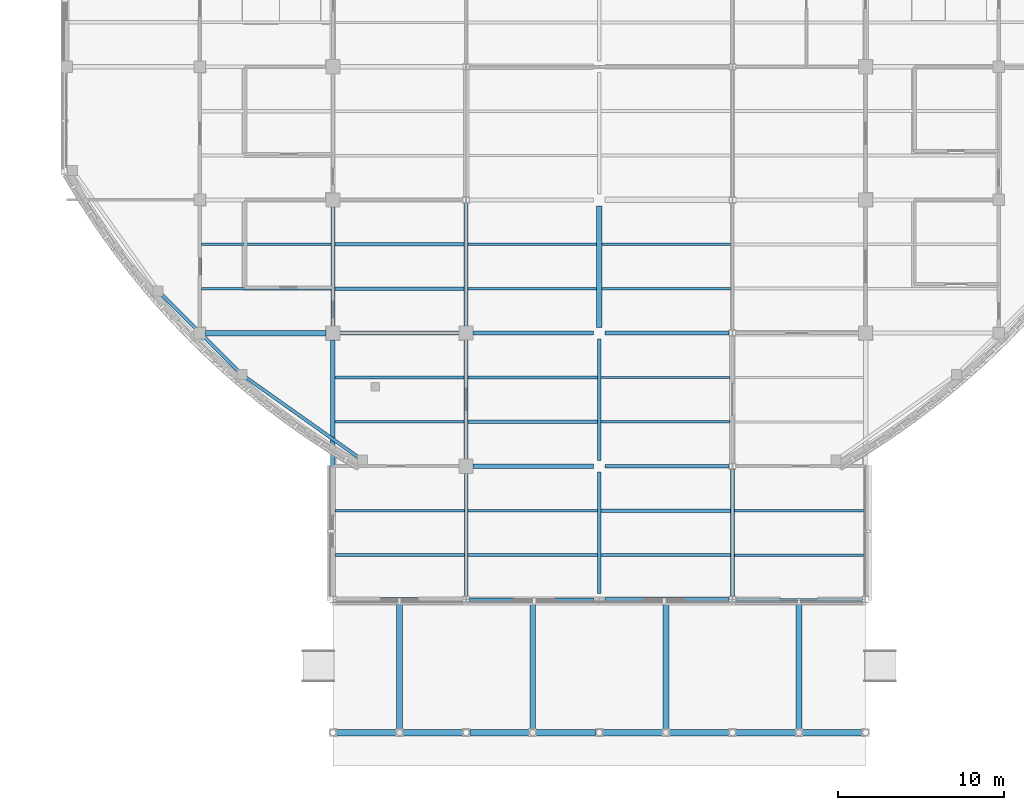
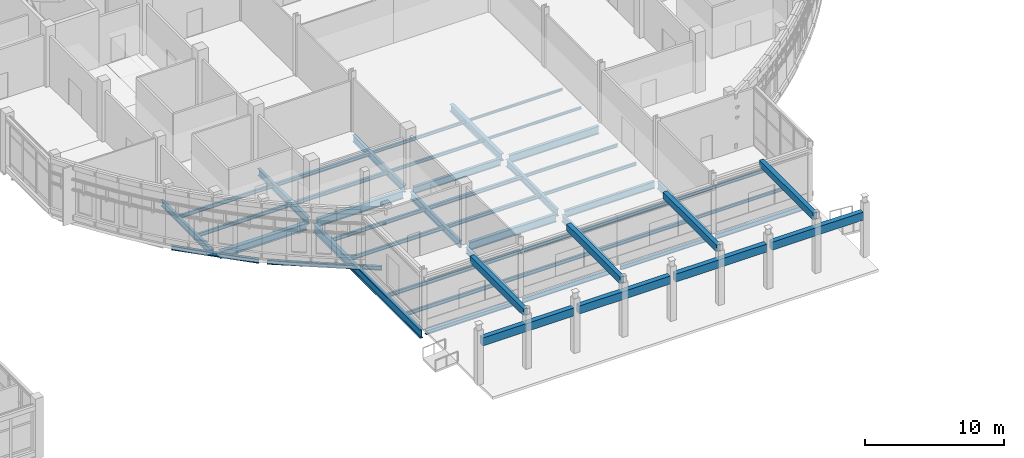
# One storey, part 18 of 105: 52 beams.
"""IFC4 building model written with IfcOpenShell, lengths in metres."""

from ifc_helpers import new_model, si_unit, derived_unit, direction, frame, origin, origin_2d, place, context, subcontext, project, spatial, rectangle, i_section, extrude, material, material_profile, profile_set, type_object, element, save


model = new_model("IFC4")

# Units and contexts
model_context = context("Model", 3, precision=1e-05, world=origin(), true_north=direction((0.0, 1.0)))
body_context = subcontext(model_context, "Body", "Model", "MODEL_VIEW")
ifc_project = project(units=[si_unit("LENGTHUNIT", "METRE"), si_unit("AREAUNIT", "SQUARE_METRE"), si_unit("VOLUMEUNIT", "CUBIC_METRE"), si_unit("PLANEANGLEUNIT", "RADIAN"), si_unit("MASSUNIT", "GRAM", prefix="KILO"), derived_unit("THERMALTRANSMITTANCEUNIT", [(si_unit("MASSUNIT", "GRAM", prefix="KILO"), 1), (si_unit("TIMEUNIT", "SECOND"), -3), (si_unit("THERMODYNAMICTEMPERATUREUNIT", "KELVIN"), -1)])], contexts=[model_context])

# Site, building, storey
site_placement = place(None, origin())
site = spatial("IfcSite", under=ifc_project, at=site_placement, CompositionType="ELEMENT")
building_placement = place(site_placement, origin())
building = spatial("IfcBuilding", under=site, at=building_placement, Name="Veyamyaing Civic Hall", CompositionType="ELEMENT")
storey_placement = place(building_placement, origin())
storey = spatial("IfcBuildingStorey", under=building, at=storey_placement, Name="L00", CompositionType="ELEMENT", Elevation=0.0)

# Beams
ifc_material_1 = material(Name="Steel ASTM A992", Category="steel")
ifc_material_profile_1 = material_profile(ifc_material_1, i_section(OverallWidth=0.256103515625, OverallDepth=0.693115234375, WebThickness=0.014404296875, FlangeThickness=0.023681640625, FilletRadius=0.013916015625, at=origin_2d()), Name="W690X170")
ifc_profile_set_1 = profile_set([ifc_material_profile_1], Name="Steel ASTM A992")
beam_type_1 = type_object("IfcBeamType", Name="B-04", PredefinedType="BEAM", material=ifc_profile_set_1)
beam_1_placement = place(storey_placement, frame((80.425048828125, 16.0, -0.611572265625), z_axis=(1.0, 0.0, 0.0), x_axis=(0.0, 1.0, 0.0)))
element("IfcBeam", 1, at=beam_1_placement, inside=storey, type_object=beam_type_1, Name="Girder B-04 L00 Grid C 11-12", PredefinedType="BEAM", context=body_context, shape_type="SweptSolid", body=[
    extrude(i_section(OverallWidth=0.256103515625, OverallDepth=0.693115234375, WebThickness=0.014404296875, FlangeThickness=0.023681640625, FilletRadius=0.013916015625, at=origin_2d()), origin(), (0.0, 0.0, 1.0), 7.224853515625),
])
beam_2_placement = place(storey_placement, frame((72.425048828125, 24.0, -0.611572265625), z_axis=(1.0, 0.0, 0.0), x_axis=(0.0, 1.0, 0.0)))
element("IfcBeam", 2, at=beam_2_placement, inside=storey, type_object=beam_type_1, Name="Girder B-04 L00 Grid D 10-11", PredefinedType="BEAM", context=body_context, shape_type="SweptSolid", body=[
    extrude(i_section(OverallWidth=0.256103515625, OverallDepth=0.693115234375, WebThickness=0.014404296875, FlangeThickness=0.023681640625, FilletRadius=0.013916015625, at=origin_2d()), origin(), (0.0, 0.0, 1.0), 7.14990234375),
])
ifc_material_profile_2 = material_profile(ifc_material_1, i_section(OverallWidth=0.22998046875, OverallDepth=0.616943359375, WebThickness=0.01318359375, FlangeThickness=0.022216796875, FilletRadius=0.012939453125, at=origin_2d()), Name="W610X140")
ifc_profile_set_2 = profile_set([ifc_material_profile_2], Name="Steel ASTM A992")
beam_type_2 = type_object("IfcBeamType", Name="B-05", PredefinedType="BEAM", material=ifc_profile_set_2)
beam_3_placement = place(storey_placement, frame((88.35009765625, 16.0, -0.573486328125), z_axis=(1.0, 0.0, 0.0), x_axis=(0.0, 1.0, 0.0)))
element("IfcBeam", 3, at=beam_3_placement, inside=storey, type_object=beam_type_2, Name="Girder B-05 L00 Grid C 12-13", PredefinedType="BEAM", context=body_context, shape_type="SweptSolid", body=[
    extrude(i_section(OverallWidth=0.22998046875, OverallDepth=0.616943359375, WebThickness=0.01318359375, FlangeThickness=0.022216796875, FilletRadius=0.012939453125, at=origin_2d()), origin(), (0.0, 0.0, 1.0), 7.450927734375),
])
beam_4_placement = place(storey_placement, frame((80.425048828125, 24.0, -0.573486328125), z_axis=(1.0, 0.0, 0.0), x_axis=(0.0, 1.0, 0.0)))
element("IfcBeam", 4, at=beam_4_placement, inside=storey, type_object=beam_type_2, Name="Girder B-05 L00 Grid D 11-12", PredefinedType="BEAM", context=body_context, shape_type="SweptSolid", body=[
    extrude(i_section(OverallWidth=0.22998046875, OverallDepth=0.616943359375, WebThickness=0.01318359375, FlangeThickness=0.022216796875, FilletRadius=0.012939453125, at=origin_2d()), origin(), (0.0, 0.0, 1.0), 7.224853515625),
])
for number, where, z_axis, x_axis, name in (
    (5, (72.0, 24.425048828125, -0.573486328125), (0.0, 1.0, 0.0), (-1.0, 0.0, 0.0), "Girder B-05 L00 Grid 10 D-E"),
    (6, (80.0, 16.425048828125, -0.573486328125), (0.0, 1.0, 0.0), (-1.0, 0.0, 0.0), "Girder B-05 L00 Grid 11 C-D"),
):
    element("IfcBeam", number, at=place(storey_placement, frame(where, z_axis=z_axis, x_axis=x_axis)), inside=storey, type_object=beam_type_2, Name=name, PredefinedType="BEAM", context=body_context, shape_type="SweptSolid", body=[
        extrude(i_section(OverallWidth=0.22998046875, OverallDepth=0.616943359375, WebThickness=0.01318359375, FlangeThickness=0.022216796875, FilletRadius=0.012939453125, at=origin_2d()), origin(), (0.0, 0.0, 1.0), 7.14990234375),
    ])
beam_5_placement = place(storey_placement, frame((88.0, 8.35009765625, -0.573486328125), z_axis=(0.0, 1.0, 0.0), x_axis=(-1.0, 0.0, 0.0)))
element("IfcBeam", 7, at=beam_5_placement, inside=storey, type_object=beam_type_2, Name="Girder B-05 L00 Grid 12 B-C", PredefinedType="BEAM", context=body_context, shape_type="SweptSolid", body=[
    extrude(i_section(OverallWidth=0.22998046875, OverallDepth=0.616943359375, WebThickness=0.01318359375, FlangeThickness=0.022216796875, FilletRadius=0.012939453125, at=origin_2d()), origin(), (0.0, 0.0, 1.0), 7.2998046875),
])
ifc_material_profile_3 = material_profile(ifc_material_1, i_section(OverallWidth=0.22802734375, OverallDepth=0.60791015625, WebThickness=0.01123046875, FlangeThickness=0.017333984375, FilletRadius=0.012939453125, at=origin_2d()), Name="W610X113")
ifc_profile_set_3 = profile_set([ifc_material_profile_3], Name="Steel ASTM A992")
beam_type_3 = type_object("IfcBeamType", Name="B-06", PredefinedType="BEAM", material=ifc_profile_set_3)
beam_6_placement = place(storey_placement, frame((80.0, 24.425048828125, -0.569091796875), z_axis=(0.0, 1.0, 0.0), x_axis=(-1.0, 0.0, 0.0)))
element("IfcBeam", 8, at=beam_6_placement, inside=storey, type_object=beam_type_3, Name="Girder B-06 L00 Grid 11 D-E", PredefinedType="BEAM", context=body_context, shape_type="SweptSolid", body=[
    extrude(i_section(OverallWidth=0.22802734375, OverallDepth=0.60791015625, WebThickness=0.01123046875, FlangeThickness=0.017333984375, FilletRadius=0.012939453125, at=origin_2d()), origin(), (0.0, 0.0, 1.0), 7.38134765625),
])
beam_7_placement = place(storey_placement, frame((88.0, 16.35009765625, -0.569091796875), z_axis=(0.0, 1.0, 0.0), x_axis=(-1.0, 0.0, 0.0)))
element("IfcBeam", 9, at=beam_7_placement, inside=storey, type_object=beam_type_3, Name="Girder B-06 L00 Grid 12 C-D", PredefinedType="BEAM", context=body_context, shape_type="SweptSolid", body=[
    extrude(i_section(OverallWidth=0.22802734375, OverallDepth=0.60791015625, WebThickness=0.01123046875, FlangeThickness=0.017333984375, FilletRadius=0.012939453125, at=origin_2d()), origin(), (0.0, 0.0, 1.0), 7.2998046875),
])
beam_8_placement = place(storey_placement, frame((96.0, 8.193603515625, -0.569091796875), z_axis=(0.0, 1.0, 0.0), x_axis=(-1.0, 0.0, 0.0)))
element("IfcBeam", 10, at=beam_8_placement, inside=storey, type_object=beam_type_3, Name="Girder B-06 L00 Grid 13 B-C", PredefinedType="BEAM", context=body_context, shape_type="SweptSolid", body=[
    extrude(i_section(OverallWidth=0.22802734375, OverallDepth=0.60791015625, WebThickness=0.01123046875, FlangeThickness=0.017333984375, FilletRadius=0.012939453125, at=origin_2d()), origin(), (0.0, 0.0, 1.0), 7.61279296875),
])
ifc_material_profile_4 = material_profile(ifc_material_1, i_section(OverallWidth=0.179931640625, OverallDepth=0.4130859375, WebThickness=0.009765625, FlangeThickness=0.01611328125, FilletRadius=0.010009765625, at=origin_2d()), Name="W410X74")
ifc_profile_set_4 = profile_set([ifc_material_profile_4], Name="Steel ASTM A992")
beam_type_4 = type_object("IfcBeamType", Name="B-10", PredefinedType="SPANDREL", material=ifc_profile_set_4)
beam_9_placement = place(storey_placement, frame((80.198974609375, 8.0, -0.471435546875), z_axis=(1.0, 0.0, 0.0), x_axis=(0.0, 1.0, 0.0)))
element("IfcBeam", 11, at=beam_9_placement, inside=storey, type_object=beam_type_4, Name="Girder B-10 L00 Grid B 11-12", PredefinedType="SPANDREL", context=body_context, shape_type="SweptSolid", body=[
    extrude(i_section(OverallWidth=0.179931640625, OverallDepth=0.4130859375, WebThickness=0.009765625, FlangeThickness=0.01611328125, FilletRadius=0.010009765625, at=origin_2d()), origin(), (0.0, 0.0, 1.0), 7.450927734375),
])
ifc_material_profile_5 = material_profile(ifc_material_1, i_section(OverallWidth=0.2041015625, OverallDepth=0.35009765625, WebThickness=0.0078125, FlangeThickness=0.01513671875, FilletRadius=0.010009765625, at=origin_2d()), Name="W360X72")
ifc_profile_set_5 = profile_set([ifc_material_profile_5], Name="Steel ASTM A992")
beam_type_5 = type_object("IfcBeamType", Name="B-11", PredefinedType="SPANDREL", material=ifc_profile_set_5)
beam_10_placement = place(storey_placement, frame((88.35009765625, 8.0, -0.43994140625), z_axis=(1.0, 0.0, 0.0), x_axis=(0.0, 1.0, 0.0)))
element("IfcBeam", 12, at=beam_10_placement, inside=storey, type_object=beam_type_5, Name="Girder B-11 L00 Grid B 12-13", PredefinedType="SPANDREL", context=body_context, shape_type="SweptSolid", body=[
    extrude(i_section(OverallWidth=0.2041015625, OverallDepth=0.35009765625, WebThickness=0.0078125, FlangeThickness=0.01513671875, FilletRadius=0.010009765625, at=origin_2d()), origin(), (0.0, 0.0, 1.0), 7.450927734375),
])
beam_11_placement = place(storey_placement, frame((61.717041015625, 26.3212890625, -0.449951171875), z_axis=(0.707106781187, -0.707106781187, 0.0), x_axis=(0.707106781187, 0.707106781187, 0.0)))
element("IfcBeam", 13, at=beam_11_placement, inside=storey, type_object=beam_type_5, Name="Curved corner spandrel B-11 L00 SW.2", PredefinedType="SPANDREL", context=body_context, shape_type="SweptSolid", body=[
    extrude(i_section(OverallWidth=0.2041015625, OverallDepth=0.35009765625, WebThickness=0.0078125, FlangeThickness=0.01513671875, FilletRadius=0.010009765625, at=origin_2d()), origin(), (0.0, 0.0, 1.0), 6.511474609375),
])
beam_12_placement = place(storey_placement, frame((66.778076171875, 21.331298828125, -0.449951171875), z_axis=(0.815567262109, -0.578662285773, 0.0), x_axis=(0.578662285773, 0.815567262109, 0.0)))
element("IfcBeam", 14, at=beam_12_placement, inside=storey, type_object=beam_type_5, Name="Curved corner spandrel B-11 L00 SW.3", PredefinedType="SPANDREL", context=body_context, shape_type="SweptSolid", body=[
    extrude(i_section(OverallWidth=0.2041015625, OverallDepth=0.35009765625, WebThickness=0.0078125, FlangeThickness=0.01513671875, FilletRadius=0.010009765625, at=origin_2d()), origin(), (0.0, 0.0, 1.0), 8.284423828125),
])
ifc_material_profile_6 = material_profile(ifc_material_1, i_section(OverallWidth=0.26611328125, OverallDepth=0.758056640625, WebThickness=0.013916015625, FlangeThickness=0.019287109375, FilletRadius=0.01611328125, at=origin_2d()), Name="W760X161")
ifc_profile_set_6 = profile_set([ifc_material_profile_6], Name="Steel ASTM A992")
beam_type_6 = type_object("IfcBeamType", Name="B-13", PredefinedType="BEAM", material=ifc_profile_set_6)
beam_13_placement = place(storey_placement, frame((72.0, 8.193603515625, -0.64404296875), z_axis=(0.0, 1.0, 0.0), x_axis=(-1.0, 0.0, 0.0)))
element("IfcBeam", 15, at=beam_13_placement, inside=storey, type_object=beam_type_6, Name="Girder B-13 L00 Grid 10 B-D", PredefinedType="BEAM", context=body_context, shape_type="SweptSolid", body=[
    extrude(i_section(OverallWidth=0.26611328125, OverallDepth=0.758056640625, WebThickness=0.013916015625, FlangeThickness=0.019287109375, FilletRadius=0.01611328125, at=origin_2d()), origin(), (0.0, 0.0, 1.0), 15.38134765625),
])
ifc_material_profile_7 = material_profile(ifc_material_1, i_section(OverallWidth=0.25390625, OverallDepth=0.68408203125, WebThickness=0.012451171875, FlangeThickness=0.01904296875, FilletRadius=0.013916015625, at=origin_2d()), Name="W690X140")
ifc_profile_set_7 = profile_set([ifc_material_profile_7], Name="Steel ASTM A992")
beam_type_7 = type_object("IfcBeamType", Name="B-14", PredefinedType="BEAM", material=ifc_profile_set_7)
beam_14_placement = place(storey_placement, frame((88.35009765625, 24.0, -0.60693359375), z_axis=(1.0, 0.0, 0.0), x_axis=(0.0, 1.0, 0.0)))
element("IfcBeam", 16, at=beam_14_placement, inside=storey, type_object=beam_type_7, Name="Girder B-14 L00 Grid D 12-13", PredefinedType="BEAM", context=body_context, shape_type="SweptSolid", body=[
    extrude(i_section(OverallWidth=0.25390625, OverallDepth=0.68408203125, WebThickness=0.012451171875, FlangeThickness=0.01904296875, FilletRadius=0.013916015625, at=origin_2d()), origin(), (0.0, 0.0, 1.0), 7.450927734375),
])
ifc_material_profile_8 = material_profile(ifc_material_1, i_section(OverallWidth=0.324951171875, OverallDepth=0.615966796875, WebThickness=0.013916015625, FlangeThickness=0.021484375, FilletRadius=0.013916015625, at=origin_2d()), Name="W610X174")
ifc_profile_set_8 = profile_set([ifc_material_profile_8], Name="Steel ASTM A992")
beam_type_8 = type_object("IfcBeamType", Name="B-15", PredefinedType="BEAM", material=ifc_profile_set_8)
beam_15_placement = place(storey_placement, frame((64.35009765625, 24.0, -0.572998046875), z_axis=(1.0, 0.0, 0.0), x_axis=(0.0, 1.0, 0.0)))
element("IfcBeam", 17, at=beam_15_placement, inside=storey, type_object=beam_type_8, Name="Girder B-15 L00 Grid D 9-10", PredefinedType="BEAM", context=body_context, shape_type="SweptSolid", body=[
    extrude(i_section(OverallWidth=0.324951171875, OverallDepth=0.615966796875, WebThickness=0.013916015625, FlangeThickness=0.021484375, FilletRadius=0.013916015625, at=origin_2d()), origin(), (0.0, 0.0, 1.0), 7.224853515625),
])
beam_16_placement = place(storey_placement, frame((88.0, 24.35009765625, -0.572998046875), z_axis=(0.0, 1.0, 0.0), x_axis=(-1.0, 0.0, 0.0)))
element("IfcBeam", 18, at=beam_16_placement, inside=storey, type_object=beam_type_8, Name="Girder B-15 L00 Grid 12 D-E", PredefinedType="BEAM", context=body_context, shape_type="SweptSolid", body=[
    extrude(i_section(OverallWidth=0.324951171875, OverallDepth=0.615966796875, WebThickness=0.013916015625, FlangeThickness=0.021484375, FilletRadius=0.013916015625, at=origin_2d()), origin(), (0.0, 0.0, 1.0), 7.2998046875),
])
ifc_material_profile_9 = material_profile(ifc_material_1, i_section(OverallWidth=0.214111328125, OverallDepth=0.549072265625, WebThickness=0.0146484375, FlangeThickness=0.023681640625, FilletRadius=0.011962890625, at=origin_2d()), Name="W530X138")
ifc_profile_set_9 = profile_set([ifc_material_profile_9], Name="Steel ASTM A992")
beam_type_9 = type_object("IfcBeamType", Name="B-16", PredefinedType="BEAM", material=ifc_profile_set_9)
beam_17_placement = place(storey_placement, frame((64.0, 24.35009765625, -0.53955078125), z_axis=(0.0, 1.0, 0.0), x_axis=(-1.0, 0.0, 0.0)))
element("IfcBeam", 19, at=beam_17_placement, inside=storey, type_object=beam_type_9, Name="Girder B-16 L00 Grid 9 D-E", PredefinedType="BEAM", context=body_context, shape_type="SweptSolid", body=[
    extrude(i_section(OverallWidth=0.214111328125, OverallDepth=0.549072265625, WebThickness=0.0146484375, FlangeThickness=0.023681640625, FilletRadius=0.011962890625, at=origin_2d()), origin(), (0.0, 0.0, 1.0), 7.2998046875),
])
beam_18_placement = place(storey_placement, frame((80.0, 8.193603515625, -0.53955078125), z_axis=(0.0, 1.0, 0.0), x_axis=(-1.0, 0.0, 0.0)))
element("IfcBeam", 20, at=beam_18_placement, inside=storey, type_object=beam_type_9, Name="Girder B-16 L00 Grid 11 B-C", PredefinedType="BEAM", context=body_context, shape_type="SweptSolid", body=[
    extrude(i_section(OverallWidth=0.214111328125, OverallDepth=0.549072265625, WebThickness=0.0146484375, FlangeThickness=0.023681640625, FilletRadius=0.011962890625, at=origin_2d()), origin(), (0.0, 0.0, 1.0), 7.38134765625),
])
ifc_material_profile_10 = material_profile(ifc_material_1, i_section(OverallWidth=0.180908203125, OverallDepth=0.4169921875, WebThickness=0.010986328125, FlangeThickness=0.018310546875, FilletRadius=0.010009765625, at=origin_2d()), Name="W410X85")
ifc_profile_set_10 = profile_set([ifc_material_profile_10], Name="Steel ASTM A992")
beam_type_10 = type_object("IfcBeamType", Name="B-19", PredefinedType="SPANDREL", material=ifc_profile_set_10)
beam_19_placement = place(storey_placement, frame((96.198974609375, 8.0, -0.473388671875), z_axis=(1.0, 0.0, 0.0), x_axis=(0.0, 1.0, 0.0)))
element("IfcBeam", 21, at=beam_19_placement, inside=storey, type_object=beam_type_10, Name="Girder B-19 L00 Grid B 13-14", PredefinedType="SPANDREL", context=body_context, shape_type="SweptSolid", body=[
    extrude(i_section(OverallWidth=0.180908203125, OverallDepth=0.4169921875, WebThickness=0.010986328125, FlangeThickness=0.018310546875, FilletRadius=0.010009765625, at=origin_2d()), origin(), (0.0, 0.0, 1.0), 7.60205078125),
])
ifc_material_profile_11 = material_profile(ifc_material_1, i_section(OverallWidth=0.25390625, OverallDepth=0.35302734375, WebThickness=0.009521484375, FlangeThickness=0.016357421875, FilletRadius=0.011962890625, at=origin_2d()), Name="W360X91")
ifc_profile_set_11 = profile_set([ifc_material_profile_11], Name="Steel ASTM A992")
beam_type_11 = type_object("IfcBeamType", Name="B-20", PredefinedType="SPANDREL", material=ifc_profile_set_11)
beam_20_placement = place(storey_placement, frame((72.198974609375, 8.0, -0.44140625), z_axis=(1.0, 0.0, 0.0), x_axis=(0.0, 1.0, 0.0)))
element("IfcBeam", 22, at=beam_20_placement, inside=storey, type_object=beam_type_11, Name="Girder B-20 L00 Grid B 10-11", PredefinedType="SPANDREL", context=body_context, shape_type="SweptSolid", body=[
    extrude(i_section(OverallWidth=0.25390625, OverallDepth=0.35302734375, WebThickness=0.009521484375, FlangeThickness=0.016357421875, FilletRadius=0.011962890625, at=origin_2d()), origin(), (0.0, 0.0, 1.0), 7.60205078125),
])
ifc_material_profile_12 = material_profile(ifc_material_1, i_section(OverallWidth=0.1669921875, OverallDepth=0.318115234375, WebThickness=0.007568359375, FlangeThickness=0.01318359375, FilletRadius=0.010009765625, at=origin_2d()), Name="W310X52")
ifc_profile_set_12 = profile_set([ifc_material_profile_12], Name="Steel ASTM A992")
beam_type_12 = type_object("IfcBeamType", Name="J-04", PredefinedType="JOIST", material=ifc_profile_set_12)
for number, where, z_axis, x_axis, name in (
    (23, (72.131103515625, 10.666748046875, -0.424072265625), (1.0, 0.0, 0.0), (0.0, 1.0, 0.0), "Composite floor joist J-04 L00 10.2.1"),
    (24, (72.131103515625, 13.333251953125, -0.424072265625), (1.0, 0.0, 0.0), (0.0, 1.0, 0.0), "Composite floor joist J-04 L00 10.2.2"),
):
    element("IfcBeam", number, at=place(storey_placement, frame(where, z_axis=z_axis, x_axis=x_axis)), inside=storey, type_object=beam_type_12, Name=name, PredefinedType="JOIST", context=body_context, shape_type="SweptSolid", body=[
        extrude(i_section(OverallWidth=0.1669921875, OverallDepth=0.318115234375, WebThickness=0.007568359375, FlangeThickness=0.01318359375, FilletRadius=0.010009765625, at=origin_2d()), origin(), (0.0, 0.0, 1.0), 7.763916015625),
    ])
ifc_material_profile_13 = material_profile(ifc_material_1, i_section(OverallWidth=0.1650390625, OverallDepth=0.31005859375, WebThickness=0.005859375, FlangeThickness=0.009765625, FilletRadius=0.010009765625, at=origin_2d()), Name="W310X39")
ifc_profile_set_13 = profile_set([ifc_material_profile_13], Name="Steel ASTM A992")
beam_type_13 = type_object("IfcBeamType", Name="J-05", PredefinedType="JOIST", material=ifc_profile_set_13)
for number, where, z_axis, x_axis, name in (
    (25, (64.10498046875, 26.666748046875, -0.419921875), (1.0, 0.0, 0.0), (0.0, 1.0, 0.0), "Composite floor joist J-05 L00 9.4.1"),
    (26, (64.10498046875, 29.333251953125, -0.419921875), (1.0, 0.0, 0.0), (0.0, 1.0, 0.0), "Composite floor joist J-05 L00 9.4.2"),
):
    element("IfcBeam", number, at=place(storey_placement, frame(where, z_axis=z_axis, x_axis=x_axis)), inside=storey, type_object=beam_type_13, Name=name, PredefinedType="JOIST", context=body_context, shape_type="SweptSolid", body=[
        extrude(i_section(OverallWidth=0.1650390625, OverallDepth=0.31005859375, WebThickness=0.005859375, FlangeThickness=0.009765625, FilletRadius=0.010009765625, at=origin_2d()), origin(), (0.0, 0.0, 1.0), 7.781982421875),
    ])
for number, where, z_axis, x_axis, name in (
    (27, (72.131103515625, 18.666748046875, -0.419921875), (1.0, 0.0, 0.0), (0.0, 1.0, 0.0), "Composite floor joist J-05 L00 10.3.1"),
    (28, (72.131103515625, 21.333251953125, -0.419921875), (1.0, 0.0, 0.0), (0.0, 1.0, 0.0), "Composite floor joist J-05 L00 10.3.2"),
):
    element("IfcBeam", number, at=place(storey_placement, frame(where, z_axis=z_axis, x_axis=x_axis)), inside=storey, type_object=beam_type_13, Name=name, PredefinedType="JOIST", context=body_context, shape_type="SweptSolid", body=[
        extrude(i_section(OverallWidth=0.1650390625, OverallDepth=0.31005859375, WebThickness=0.005859375, FlangeThickness=0.009765625, FilletRadius=0.010009765625, at=origin_2d()), origin(), (0.0, 0.0, 1.0), 7.755859375),
    ])
for number, where, z_axis, x_axis, name in (
    (29, (80.10498046875, 10.666748046875, -0.419921875), (1.0, 0.0, 0.0), (0.0, 1.0, 0.0), "Composite floor joist J-05 L00 11.2.1"),
    (30, (80.10498046875, 13.333251953125, -0.419921875), (1.0, 0.0, 0.0), (0.0, 1.0, 0.0), "Composite floor joist J-05 L00 11.2.2"),
):
    element("IfcBeam", number, at=place(storey_placement, frame(where, z_axis=z_axis, x_axis=x_axis)), inside=storey, type_object=beam_type_13, Name=name, PredefinedType="JOIST", context=body_context, shape_type="SweptSolid", body=[
        extrude(i_section(OverallWidth=0.1650390625, OverallDepth=0.31005859375, WebThickness=0.005859375, FlangeThickness=0.009765625, FilletRadius=0.010009765625, at=origin_2d()), origin(), (0.0, 0.0, 1.0), 7.781982421875),
    ])
ifc_material_profile_14 = material_profile(ifc_material_1, i_section(OverallWidth=0.2041015625, OverallDepth=0.305908203125, WebThickness=0.008544921875, FlangeThickness=0.0146484375, FilletRadius=0.010009765625, at=origin_2d()), Name="W310X67")
ifc_profile_set_14 = profile_set([ifc_material_profile_14], Name="Steel ASTM A992")
beam_type_14 = type_object("IfcBeamType", Name="J-06", PredefinedType="JOIST", material=ifc_profile_set_14)
for number, where, z_axis, x_axis, name in (
    (31, (72.113037109375, 26.666748046875, -0.41796875), (1.0, 0.0, 0.0), (0.0, 1.0, 0.0), "Composite floor joist J-06 L00 10.4.1"),
    (32, (72.113037109375, 29.333251953125, -0.41796875), (1.0, 0.0, 0.0), (0.0, 1.0, 0.0), "Composite floor joist J-06 L00 10.4.2"),
    (33, (80.113037109375, 18.666748046875, -0.41796875), (1.0, 0.0, 0.0), (0.0, 1.0, 0.0), "Composite floor joist J-06 L00 11.3.1"),
    (34, (80.113037109375, 21.333251953125, -0.41796875), (1.0, 0.0, 0.0), (0.0, 1.0, 0.0), "Composite floor joist J-06 L00 11.3.2"),
    (35, (88.113037109375, 10.666748046875, -0.41796875), (1.0, 0.0, 0.0), (0.0, 1.0, 0.0), "Composite floor joist J-06 L00 12.2.1"),
    (36, (88.113037109375, 13.333251953125, -0.41796875), (1.0, 0.0, 0.0), (0.0, 1.0, 0.0), "Composite floor joist J-06 L00 12.2.2"),
):
    element("IfcBeam", number, at=place(storey_placement, frame(where, z_axis=z_axis, x_axis=x_axis)), inside=storey, type_object=beam_type_14, Name=name, PredefinedType="JOIST", context=body_context, shape_type="SweptSolid", body=[
        extrude(i_section(OverallWidth=0.2041015625, OverallDepth=0.305908203125, WebThickness=0.008544921875, FlangeThickness=0.0146484375, FilletRadius=0.010009765625, at=origin_2d()), origin(), (0.0, 0.0, 1.0), 7.77490234375),
    ])
ifc_material_profile_15 = material_profile(ifc_material_1, i_section(OverallWidth=0.14794921875, OverallDepth=0.26611328125, WebThickness=0.007568359375, FlangeThickness=0.012939453125, FilletRadius=0.010009765625, at=origin_2d()), Name="W250X45")
ifc_profile_set_15 = profile_set([ifc_material_profile_15], Name="Steel ASTM A992")
beam_type_15 = type_object("IfcBeamType", Name="J-07", PredefinedType="JOIST", material=ifc_profile_set_15)
for number, where, z_axis, x_axis, name in (
    (37, (80.112060546875, 26.666748046875, -0.39794921875), (1.0, 0.0, 0.0), (0.0, 1.0, 0.0), "Composite floor joist J-07 L00 11.4.1"),
    (38, (80.112060546875, 29.333251953125, -0.39794921875), (1.0, 0.0, 0.0), (0.0, 1.0, 0.0), "Composite floor joist J-07 L00 11.4.2"),
    (39, (88.112060546875, 18.666748046875, -0.39794921875), (1.0, 0.0, 0.0), (0.0, 1.0, 0.0), "Composite floor joist J-07 L00 12.3.1"),
    (40, (88.112060546875, 21.333251953125, -0.39794921875), (1.0, 0.0, 0.0), (0.0, 1.0, 0.0), "Composite floor joist J-07 L00 12.3.2"),
):
    element("IfcBeam", number, at=place(storey_placement, frame(where, z_axis=z_axis, x_axis=x_axis)), inside=storey, type_object=beam_type_15, Name=name, PredefinedType="JOIST", context=body_context, shape_type="SweptSolid", body=[
        extrude(i_section(OverallWidth=0.14794921875, OverallDepth=0.26611328125, WebThickness=0.007568359375, FlangeThickness=0.012939453125, FilletRadius=0.010009765625, at=origin_2d()), origin(), (0.0, 0.0, 1.0), 7.7275390625),
    ])
for number, where, z_axis, x_axis, name in (
    (41, (96.112060546875, 10.666748046875, -0.39794921875), (1.0, 0.0, 0.0), (0.0, 1.0, 0.0), "Composite floor joist J-07 L00 13.2.1"),
    (42, (96.112060546875, 13.333251953125, -0.39794921875), (1.0, 0.0, 0.0), (0.0, 1.0, 0.0), "Composite floor joist J-07 L00 13.2.2"),
):
    element("IfcBeam", number, at=place(storey_placement, frame(where, z_axis=z_axis, x_axis=x_axis)), inside=storey, type_object=beam_type_15, Name=name, PredefinedType="JOIST", context=body_context, shape_type="SweptSolid", body=[
        extrude(i_section(OverallWidth=0.14794921875, OverallDepth=0.26611328125, WebThickness=0.007568359375, FlangeThickness=0.012939453125, FilletRadius=0.010009765625, at=origin_2d()), origin(), (0.0, 0.0, 1.0), 7.7568359375),
    ])
ifc_material_profile_16 = material_profile(ifc_material_1, i_section(OverallWidth=0.133056640625, OverallDepth=0.20703125, WebThickness=0.005859375, FlangeThickness=0.00830078125, FilletRadius=0.010009765625, at=origin_2d()), Name="W200X27")
ifc_profile_set_16 = profile_set([ifc_material_profile_16], Name="Steel ASTM A992")
beam_type_16 = type_object("IfcBeamType", Name="J-08", PredefinedType="JOIST", material=ifc_profile_set_16)
for number, where, z_axis, x_axis, name in (
    (43, (88.160400390625, 26.666748046875, -0.368408203125), (1.0, 0.0, 0.0), (0.0, 1.0, 0.0), "Composite floor joist J-08 L00 12.4.1"),
    (44, (88.160400390625, 29.333251953125, -0.368408203125), (1.0, 0.0, 0.0), (0.0, 1.0, 0.0), "Composite floor joist J-08 L00 12.4.2"),
):
    element("IfcBeam", number, at=place(storey_placement, frame(where, z_axis=z_axis, x_axis=x_axis)), inside=storey, type_object=beam_type_16, Name=name, PredefinedType="JOIST", context=body_context, shape_type="SweptSolid", body=[
        extrude(i_section(OverallWidth=0.133056640625, OverallDepth=0.20703125, WebThickness=0.005859375, FlangeThickness=0.00830078125, FilletRadius=0.010009765625, at=origin_2d()), origin(), (0.0, 0.0, 1.0), 7.734619140625),
    ])
ifc_material_2 = material(Name="Precast concrete C40/50", Category="concrete")
ifc_material_profile_17 = material_profile(ifc_material_2, rectangle(XDim=0.39990234375, YDim=0.699951171875, at=origin_2d()), Name="RC-LINT-400X700")
ifc_profile_set_17 = profile_set([ifc_material_profile_17], Name="Precast concrete C40/50")
beam_type_17 = type_object("IfcBeamType", Name="LN-01", PredefinedType="LINTEL", material=ifc_profile_set_17)
for number, where, z_axis, x_axis, name in (
    (45, (72.219970703125, 0.0, 3.64990234375), (1.0, 0.0, 0.0), (0.0, 1.0, 0.0), "South Portal Precast Stone Lintel LN-01 10-11"),
    (46, (80.219970703125, 0.0, 3.64990234375), (1.0, 0.0, 0.0), (0.0, 1.0, 0.0), "South Portal Precast Stone Lintel LN-01 11-12"),
    (47, (88.219970703125, 0.0, 3.64990234375), (1.0, 0.0, 0.0), (0.0, 1.0, 0.0), "South Portal Precast Stone Lintel LN-01 12-13"),
    (48, (96.219970703125, 0.0, 3.64990234375), (1.0, 0.0, 0.0), (0.0, 1.0, 0.0), "South Portal Precast Stone Lintel LN-01 13-14"),
):
    element("IfcBeam", number, at=place(storey_placement, frame(where, z_axis=z_axis, x_axis=x_axis)), inside=storey, type_object=beam_type_17, Name=name, PredefinedType="LINTEL", context=body_context, shape_type="SweptSolid", body=[
        extrude(rectangle(XDim=0.39990234375, YDim=0.699951171875, at=origin_2d()), origin(), (0.0, 0.0, 1.0), 7.56005859375),
    ])
ifc_material_profile_18 = material_profile(ifc_material_2, rectangle(XDim=0.35009765625, YDim=0.60009765625, at=origin_2d()), Name="RC-LINT-350X600")
ifc_profile_set_18 = profile_set([ifc_material_profile_18], Name="Precast concrete C40/50")
beam_type_18 = type_object("IfcBeamType", Name="LN-02", PredefinedType="LINTEL", material=ifc_profile_set_18)
for number, where, z_axis, x_axis, name in (
    (49, (76.0, 0.199951171875, 4.739990234375), (0.0, 1.0, 0.0), (-1.0, 0.0, 0.0), "Riwaq Arcade Precast Lintel LN-02 PCOL-MID-1"),
    (50, (84.0, 0.199951171875, 4.739990234375), (0.0, 1.0, 0.0), (-1.0, 0.0, 0.0), "Riwaq Arcade Precast Lintel LN-02 PCOL-MID-2"),
    (51, (92.0, 0.199951171875, 4.739990234375), (0.0, 1.0, 0.0), (-1.0, 0.0, 0.0), "Riwaq Arcade Precast Lintel LN-02 PCOL-MID-3"),
    (52, (100.0, 0.199951171875, 4.739990234375), (0.0, 1.0, 0.0), (-1.0, 0.0, 0.0), "Riwaq Arcade Precast Lintel LN-02 PCOL-MID-4"),
):
    element("IfcBeam", number, at=place(storey_placement, frame(where, z_axis=z_axis, x_axis=x_axis)), inside=storey, type_object=beam_type_18, Name=name, PredefinedType="LINTEL", context=body_context, shape_type="SweptSolid", body=[
        extrude(rectangle(XDim=0.35009765625, YDim=0.60009765625, at=origin_2d()), origin(), (0.0, 0.0, 1.0), 7.679931640625),
    ])

save(model, "model.ifc")
